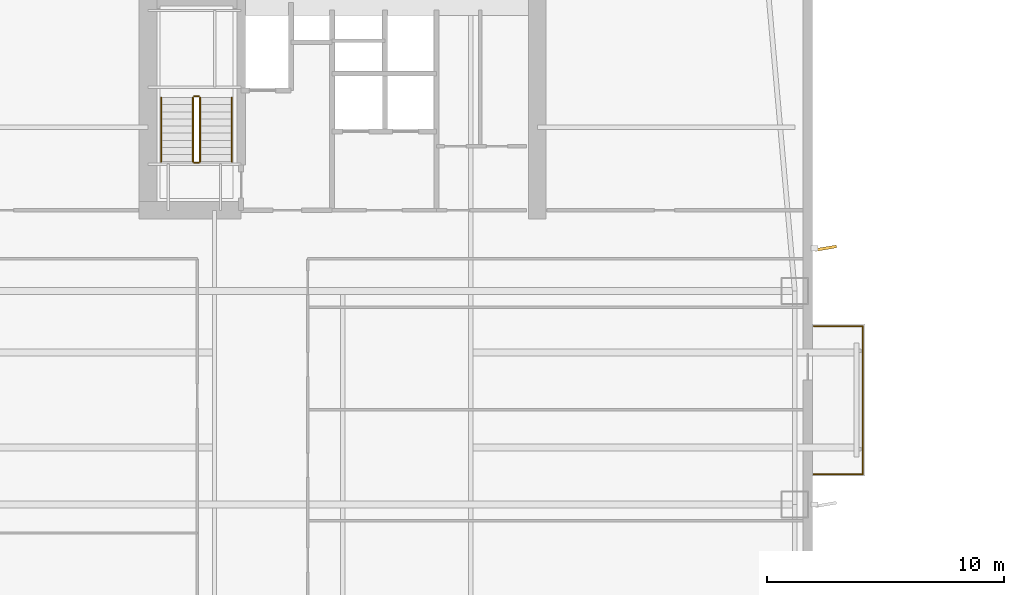
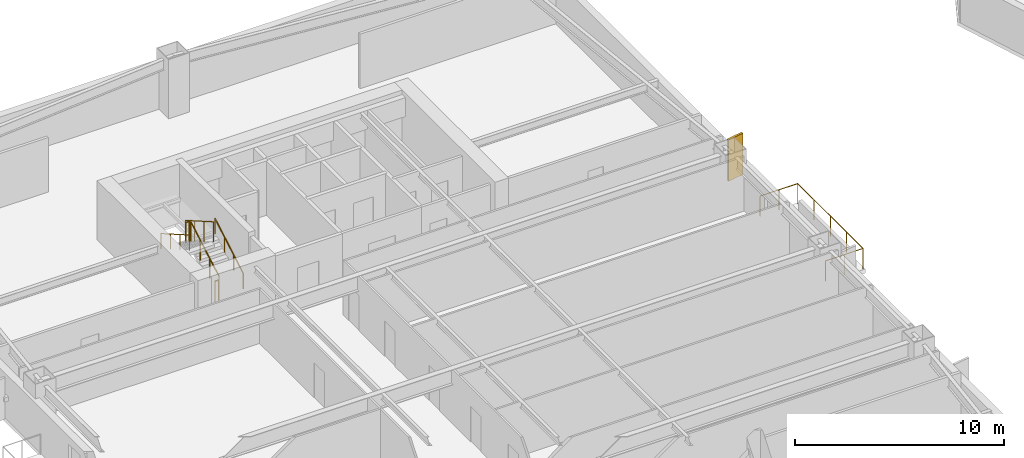
# One storey, part 17 of 19: 7 railings, 1 shading device.
"""IFC4 building model written with IfcOpenShell, lengths in metres."""

import ifcopenshell
import ifcopenshell.guid

model = None  # the IFC model being written
_history = None  # IfcOwnerHistory: only IFC2X3 demands one
_inside = {}  # id of a spatial element -> (the spatial element, [elements in it])
_under = {}  # id of a project, library or spatial element -> (it, [spatial elements below it])
_declared = {}  # id of a project -> (the project, [libraries it declares])
_typed = {}  # id of a type object -> (the type object, [elements of that type])
_made_of = {}  # id of a material, layer set ... -> (it, [elements and type objects made of it])


def new_model(schema):
    """Start an empty IFC model of exactly this schema.

    Asked for "IFC4X3", IfcOpenShell would pick the latest addendum, in which some entities
    have other attributes; the version numbers below select the first issue.
    IFC2X3 requires an IfcOwnerHistory on every rooted entity: one is made here for all.
    """
    global model, _history
    if schema == "IFC4X3":
        model = ifcopenshell.file(schema_version=(4, 3, 0, 0))
    else:
        model = ifcopenshell.file(schema=schema)
    _inside.clear()
    _under.clear()
    _declared.clear()
    _typed.clear()
    _made_of.clear()
    _history = None
    if model.schema == "IFC2X3":
        org = make("IfcOrganization", Name="unknown")
        user = make(
            "IfcPersonAndOrganization",
            ThePerson=make("IfcPerson", FamilyName="unknown"),
            TheOrganization=org,
        )
        app = make(
            "IfcApplication",
            ApplicationDeveloper=org,
            Version="unknown",
            ApplicationFullName="unknown",
            ApplicationIdentifier="unknown",
        )
        _history = make(
            "IfcOwnerHistory",
            OwningUser=user,
            OwningApplication=app,
            ChangeAction="ADDED",
            CreationDate=0,
        )
    return model


def make(cls, **values):
    """One entity of the class cls with the attributes given. An attribute that is None is left unset."""
    return model.create_entity(
        cls, **{name: value for name, value in values.items() if value is not None}
    )


def rooted(cls, **values):
    """An entity with a GlobalId (a new one), such as an element, a storey or a relation."""
    return make(cls, GlobalId=ifcopenshell.guid.new(), OwnerHistory=_history, **values)


def si_unit(unit_type, name, prefix=None):
    """IfcSIUnit, for example si_unit("LENGTHUNIT", "METRE", prefix="MILLI")."""
    return make("IfcSIUnit", UnitType=unit_type, Prefix=prefix, Name=name)


def assignment(units):
    """IfcUnitAssignment: the units of a project."""
    return None if units is None else make("IfcUnitAssignment", Units=units)


def point(xyz):
    """IfcCartesianPoint."""
    return None if xyz is None else make("IfcCartesianPoint", Coordinates=xyz)


def direction(xyz):
    """IfcDirection."""
    return None if xyz is None else make("IfcDirection", DirectionRatios=xyz)


def frame(location, z_axis=None, x_axis=None):
    """IfcAxis2Placement3D, a coordinate frame: its origin and axes. An axis left out is left unset."""
    return make(
        "IfcAxis2Placement3D",
        Location=point(location),
        Axis=direction(z_axis),
        RefDirection=direction(x_axis),
    )


def frame_2d(location, x_axis=None):
    """IfcAxis2Placement2D, a coordinate frame in the plane: its origin and x axis."""
    return make(
        "IfcAxis2Placement2D", Location=point(location), RefDirection=direction(x_axis)
    )


def origin():
    """The frame at (0, 0, 0) with its axes left unset."""
    return frame((0.0, 0.0, 0.0))


def origin_2d():
    """The frame at (0, 0) in the plane with its x axis left unset."""
    return frame_2d((0.0, 0.0))


def place(relative_to, where):
    """IfcLocalPlacement: puts the frame where relative to a parent placement (None: the world)."""
    return make(
        "IfcLocalPlacement", PlacementRelTo=relative_to, RelativePlacement=where
    )


def context(
    kind, dimensions, precision=None, world=None, true_north=None, identifier=None
):
    """IfcGeometricRepresentationContext, for example the 3D "Model" context."""
    return make(
        "IfcGeometricRepresentationContext",
        ContextIdentifier=identifier,
        ContextType=kind,
        CoordinateSpaceDimension=dimensions,
        Precision=precision,
        WorldCoordinateSystem=world,
        TrueNorth=true_north,
    )


def subcontext(parent, identifier, kind, view, scale=None):
    """IfcGeometricRepresentationSubContext, for example "Body" below "Model"."""
    return make(
        "IfcGeometricRepresentationSubContext",
        ContextIdentifier=identifier,
        ContextType=kind,
        ParentContext=parent,
        TargetScale=scale,
        TargetView=view,
    )


def project(units=None, contexts=None):
    """IfcProject with its units and contexts."""
    return rooted(
        "IfcProject",
        Name="project",
        RepresentationContexts=contexts,
        UnitsInContext=assignment(units),
    )


def spatial(cls, under=None, at=None, **own):
    """A site, building, storey or space (cls), placed at a placement, below another one or the project."""
    s = rooted(cls, ObjectPlacement=at, **own)
    if under is not None:
        _under.setdefault(under.id(), (under, []))[1].append(s)
    return s


def profile(cls, at=None, kind="AREA", **sizes):
    """A parametric profile (cls). Its sizes go by their IFC names, for example OverallWidth=200.0."""
    return make(cls, ProfileType=kind, Position=at, **sizes)


def rectangle(**sizes):
    """IfcRectangleProfileDef."""
    return profile("IfcRectangleProfileDef", **sizes)


def circle(**sizes):
    """IfcCircleProfileDef."""
    return profile("IfcCircleProfileDef", **sizes)


def extrude(swept, where, along, depth):
    """IfcExtrudedAreaSolid: the profile swept, set in the frame where, extruded along a direction by depth."""
    return make(
        "IfcExtrudedAreaSolid",
        SweptArea=swept,
        Position=where,
        ExtrudedDirection=direction(along),
        Depth=depth,
    )


def shape(context_of_items, identifier, shape_type, items):
    """IfcShapeRepresentation: the items that make up one representation, for example the "Body"."""
    return make(
        "IfcShapeRepresentation",
        ContextOfItems=context_of_items,
        RepresentationIdentifier=identifier,
        RepresentationType=shape_type,
        Items=items,
    )


def material(Name=None, Category=None):
    """IfcMaterial."""
    return make("IfcMaterial", Name=Name, Category=Category)


def layer(
    of_material, thickness, ventilated=None, Name=None, Category=None, Priority=None
):
    """IfcMaterialLayer: one layer of a wall or slab, of a material (None: an air gap)."""
    return make(
        "IfcMaterialLayer",
        Material=of_material,
        LayerThickness=thickness,
        IsVentilated=ventilated,
        Name=Name,
        Category=Category,
        Priority=Priority,
    )


def layer_set(layers, Name=None):
    """IfcMaterialLayerSet."""
    return make("IfcMaterialLayerSet", MaterialLayers=layers, LayerSetName=Name)


def made_of(thing, what):
    """Note that an element or type object is made of a material, layer set ...; save() writes the relation."""
    if what is not None:
        _made_of.setdefault(what.id(), (what, []))[1].append(thing)
    return thing


def type_object(cls, material=None, **own):
    """A type object (cls), such as IfcWallType, which elements share."""
    return made_of(rooted(cls, **own), material)


def element(
    cls,
    number,
    at=None,
    inside=None,
    cuts=None,
    type_object=None,
    material=None,
    context=None,
    identifier="Body",
    shape_type=None,
    held_by="IfcProductDefinitionShape",
    body=None,
    shapes=None,
    **own,
):
    """One element of the class cls, such as IfcWall. Its Tag is "e" and its number.

    at: its placement. inside: the storey or other place that contains it. cuts: it is an
    opening in that element (IfcRelVoidsElement). A single representation is given by context,
    identifier, shape_type and body (its items); several are given by shapes. held_by: the class
    of the entity that holds the representations. save() writes the other relations.
    """
    e = rooted(cls, Tag="e%d" % number, ObjectPlacement=at, **own)
    if body is not None:
        shapes = [shape(context, identifier, shape_type, body)]
    if shapes is not None:
        e.Representation = make(held_by, Representations=shapes)
    if inside is not None:
        _inside.setdefault(inside.id(), (inside, []))[1].append(e)
    if cuts is not None:
        rooted(
            "IfcRelVoidsElement", RelatingBuildingElement=cuts, RelatedOpeningElement=e
        )
    if type_object is not None:
        _typed.setdefault(type_object.id(), (type_object, []))[1].append(e)
    return made_of(e, material)


def aggregate(whole, parts):
    """IfcRelAggregates: a whole, such as a stair, and the parts it consists of."""
    return rooted("IfcRelAggregates", RelatingObject=whole, RelatedObjects=parts)


def save(model, path):
    """Write the relations noted so far, then the file.

    IfcRelAggregates (storeys below a building ...), IfcRelContainedInSpatialStructure (elements
    in a storey), IfcRelDefinesByType, IfcRelAssociatesMaterial and IfcRelDeclares: one each for
    every whole, place, type object, material and project.
    """
    for whole, parts in _under.values():
        aggregate(whole, parts)
    for where, things in _inside.values():
        rooted(
            "IfcRelContainedInSpatialStructure",
            RelatedElements=things,
            RelatingStructure=where,
        )
    for kind, things in _typed.values():
        rooted("IfcRelDefinesByType", RelatedObjects=things, RelatingType=kind)
    for what, things in _made_of.values():
        rooted("IfcRelAssociatesMaterial", RelatedObjects=things, RelatingMaterial=what)
    for by, libraries in _declared.values():
        rooted("IfcRelDeclares", RelatingContext=by, RelatedDefinitions=libraries)
    model.write(path)


model = new_model("IFC4")

# Units and contexts
model_context = context("Model", 3, precision=1e-05, world=origin(), true_north=direction((0.0, 1.0)))
body_context = subcontext(model_context, "Body", "Model", "MODEL_VIEW")
ifc_project = project(units=[si_unit("LENGTHUNIT", "METRE"), si_unit("AREAUNIT", "SQUARE_METRE"), si_unit("VOLUMEUNIT", "CUBIC_METRE"), si_unit("PLANEANGLEUNIT", "RADIAN"), si_unit("MASSUNIT", "GRAM", prefix="KILO")], contexts=[model_context])

# Site, building, storey
site_placement = place(None, origin())
site = spatial("IfcSite", under=ifc_project, at=site_placement, CompositionType="ELEMENT")
building_placement = place(site_placement, origin())
building = spatial("IfcBuilding", under=site, at=building_placement, Name="Qiaolan Cultural Towers", CompositionType="ELEMENT")
storey_placement = place(building_placement, frame((0.0, 0.0, 78.199951171875)))
storey = spatial("IfcBuildingStorey", under=building, at=storey_placement, Name="L19", CompositionType="ELEMENT", Elevation=78.199951171875)

# Railings
ifc_material_1 = material(Name="Laminated SentryGlas & Stainless Steel S31608 Balustrade", Category="steel")
railing_type_1 = type_object("IfcRailingType", Name="GRD-TERR-1200", PredefinedType="BALUSTRADE", material=ifc_material_1)
railing_1_placement = place(storey_placement, frame((49.85009765625, 35.280029296875, 0.0)))
element("IfcRailing", 1, at=railing_1_placement, inside=storey, type_object=railing_type_1, Name="L19 T1 Tree Balcony Guardrail E", PredefinedType="BALUSTRADE", context=body_context, shape_type="SweptSolid", body=[
    extrude(circle(Radius=0.02392578125, at=origin_2d()), frame((0.0, 0.0, 1.17578125), z_axis=(1.0, 0.0, 0.0), x_axis=(0.0, 1.0, 0.0)), (0.0, 0.0, 1.0), 2.06982421875),
    extrude(circle(Radius=0.02392578125, at=origin_2d()), frame((2.06982421875, 0.0, 1.17578125), z_axis=(0.0, 1.0, 0.0), x_axis=(-1.0, 0.0, 0.0)), (0.0, 0.0, 1.0), 6.239990234375),
    extrude(circle(Radius=0.02392578125, at=origin_2d()), frame((2.06982421875, 6.239990234375, 1.17578125), z_axis=(-1.0, 0.0, 0.0), x_axis=(0.0, -1.0, 0.0)), (0.0, 0.0, 1.0), 2.06982421875),
    extrude(circle(Radius=0.02099609375, at=origin_2d()), origin(), (0.0, 0.0, 1.0), 1.15185546875),
    extrude(circle(Radius=0.02099609375, at=origin_2d()), frame((1.034912109375, 0.0, 0.0)), (0.0, 0.0, 1.0), 1.15185546875),
    extrude(circle(Radius=0.02099609375, at=origin_2d()), frame((2.06982421875, 0.0, 0.0)), (0.0, 0.0, 1.0), 1.15185546875),
    extrude(circle(Radius=0.02099609375, at=origin_2d()), frame((2.06982421875, 1.56005859375, 0.0)), (0.0, 0.0, 1.0), 1.15185546875),
    extrude(circle(Radius=0.02099609375, at=origin_2d()), frame((2.06982421875, 3.1201171875, 0.0)), (0.0, 0.0, 1.0), 1.15185546875),
    extrude(circle(Radius=0.02099609375, at=origin_2d()), frame((2.06982421875, 4.679931640625, 0.0)), (0.0, 0.0, 1.0), 1.15185546875),
    extrude(circle(Radius=0.02099609375, at=origin_2d()), frame((2.06982421875, 6.239990234375, 0.0)), (0.0, 0.0, 1.0), 1.15185546875),
    extrude(circle(Radius=0.02099609375, at=origin_2d()), frame((1.034912109375, 6.239990234375, 0.0)), (0.0, 0.0, 1.0), 1.15185546875),
    extrude(circle(Radius=0.02099609375, at=origin_2d()), frame((0.0, 6.239990234375, 0.0)), (0.0, 0.0, 1.0), 1.15185546875),
])
ifc_material_2 = material(Name="Galvanized Painted Steel Stair Guardrail", Category="steel")
railing_type_2 = type_object("IfcRailingType", Name="RL-STAIR-GRD", PredefinedType="GUARDRAIL", material=ifc_material_2)
railing_2_placement = place(storey_placement, frame((23.989990234375, 48.449951171875, 0.172607421875)))
element("IfcRailing", 2, at=railing_2_placement, inside=storey, type_object=railing_type_2, Name="L19 ST-W2 stair guard 1", PredefinedType="GUARDRAIL", context=body_context, shape_type="SweptSolid", body=[
    extrude(circle(Radius=0.02392578125, at=origin_2d()), frame((0.0, 0.0, 1.17578125), z_axis=(0.0, 0.866903762492, 0.498475542607), x_axis=(-1.0, 0.0, 0.0)), (0.0, 0.0, 1.0), 3.114501953125),
    extrude(circle(Radius=0.02099609375, at=origin_2d()), origin(), (0.0, 0.0, 1.0), 1.15185546875),
    extrude(circle(Radius=0.02099609375, at=origin_2d()), frame((0.0, 0.89990234375, 0.517578125)), (0.0, 0.0, 1.0), 1.15185546875),
    extrude(circle(Radius=0.02099609375, at=origin_2d()), frame((0.0, 1.800048828125, 1.034912109375)), (0.0, 0.0, 1.0), 1.15185546875),
    extrude(circle(Radius=0.02099609375, at=origin_2d()), frame((0.0, 2.699951171875, 1.552490234375)), (0.0, 0.0, 1.0), 1.15185546875),
])
railing_3_placement = place(storey_placement, frame((23.93994140625, 51.199951171875, 1.72509765625)))
element("IfcRailing", 3, at=railing_3_placement, inside=storey, type_object=railing_type_2, Name="L19 ST-W2 stair guard 2", PredefinedType="GUARDRAIL", context=body_context, shape_type="SweptSolid", body=[
    extrude(circle(Radius=0.02392578125, at=origin_2d()), frame((0.0, 0.0, 1.17578125), z_axis=(-1.0, 0.0, 0.0), x_axis=(0.0, -1.0, 0.0)), (0.0, 0.0, 1.0), 0.199951171875),
    extrude(circle(Radius=0.02099609375, at=origin_2d()), origin(), (0.0, 0.0, 1.0), 1.15185546875),
    extrude(circle(Radius=0.02099609375, at=origin_2d()), frame((-0.199951171875, 0.0, 0.0)), (0.0, 0.0, 1.0), 1.15185546875),
])
railing_4_placement = place(storey_placement, frame((23.68994140625, 51.14990234375, 1.8974609375)))
element("IfcRailing", 4, at=railing_4_placement, inside=storey, type_object=railing_type_2, Name="L19 ST-W2 stair guard 3", PredefinedType="GUARDRAIL", context=body_context, shape_type="SweptSolid", body=[
    extrude(circle(Radius=0.02392578125, at=origin_2d()), frame((0.0, 0.0, 1.17578125), z_axis=(0.0, -0.866903762492, 0.498475542607), x_axis=(1.0, 0.0, 0.0)), (0.0, 0.0, 1.0), 3.114501953125),
    extrude(circle(Radius=0.02099609375, at=origin_2d()), origin(), (0.0, 0.0, 1.0), 1.15185546875),
    extrude(circle(Radius=0.02099609375, at=origin_2d()), frame((0.0, -0.89990234375, 0.517578125)), (0.0, 0.0, 1.0), 1.15185546875),
    extrude(circle(Radius=0.02099609375, at=origin_2d()), frame((0.0, -1.800048828125, 1.034912109375)), (0.0, 0.0, 1.0), 1.15185546875),
    extrude(circle(Radius=0.02099609375, at=origin_2d()), frame((0.0, -2.699951171875, 1.552490234375)), (0.0, 0.0, 1.0), 1.15185546875),
])
railing_5_placement = place(storey_placement, frame((23.93994140625, 48.39990234375, 0.0)))
element("IfcRailing", 5, at=railing_5_placement, inside=storey, type_object=railing_type_2, Name="L19 ST-W2 stair guard 4", PredefinedType="GUARDRAIL", context=body_context, shape_type="SweptSolid", body=[
    extrude(circle(Radius=0.02392578125, at=origin_2d()), frame((0.0, 0.0, 1.17578125), z_axis=(-1.0, 0.0, 0.0), x_axis=(0.0, -1.0, 0.0)), (0.0, 0.0, 1.0), 0.199951171875),
    extrude(circle(Radius=0.02099609375, at=origin_2d()), origin(), (0.0, 0.0, 1.0), 1.15185546875),
    extrude(circle(Radius=0.02099609375, at=origin_2d()), frame((-0.199951171875, 0.0, 0.0)), (0.0, 0.0, 1.0), 1.15185546875),
])
ifc_material_3 = material(Name="Stainless Steel S30408 Tubular Handrail", Category="steel")
railing_type_3 = type_object("IfcRailingType", Name="RL-STAIR-HR", PredefinedType="HANDRAIL", material=ifc_material_3)
railing_6_placement = place(storey_placement, frame((25.330078125, 48.449951171875, 0.172607421875)))
element("IfcRailing", 6, at=railing_6_placement, inside=storey, type_object=railing_type_3, Name="L19 ST-W2 stair handrail 1", PredefinedType="HANDRAIL", context=body_context, shape_type="SweptSolid", body=[
    extrude(circle(Radius=0.02392578125, at=origin_2d()), frame((0.0, 0.0, 0.8759765625), z_axis=(0.0, 0.866903762492, 0.498475542607), x_axis=(-1.0, 0.0, 0.0)), (0.0, 0.0, 1.0), 3.114501953125),
    extrude(circle(Radius=0.02099609375, at=origin_2d()), origin(), (0.0, 0.0, 1.0), 0.851806640625),
    extrude(circle(Radius=0.02099609375, at=origin_2d()), frame((0.0, 0.89990234375, 0.517578125)), (0.0, 0.0, 1.0), 0.851806640625),
    extrude(circle(Radius=0.02099609375, at=origin_2d()), frame((0.0, 1.800048828125, 1.034912109375)), (0.0, 0.0, 1.0), 0.851806640625),
    extrude(circle(Radius=0.02099609375, at=origin_2d()), frame((0.0, 2.699951171875, 1.552490234375)), (0.0, 0.0, 1.0), 0.851806640625),
])
railing_7_placement = place(storey_placement, frame((22.35009765625, 51.14990234375, 1.8974609375)))
element("IfcRailing", 7, at=railing_7_placement, inside=storey, type_object=railing_type_3, Name="L19 ST-W2 stair handrail 2", PredefinedType="HANDRAIL", context=body_context, shape_type="SweptSolid", body=[
    extrude(circle(Radius=0.02392578125, at=origin_2d()), frame((0.0, 0.0, 0.8759765625), z_axis=(0.0, -0.866903762492, 0.498475542607), x_axis=(1.0, 0.0, 0.0)), (0.0, 0.0, 1.0), 3.114501953125),
    extrude(circle(Radius=0.02099609375, at=origin_2d()), origin(), (0.0, 0.0, 1.0), 0.851806640625),
    extrude(circle(Radius=0.02099609375, at=origin_2d()), frame((0.0, -0.89990234375, 0.517578125)), (0.0, 0.0, 1.0), 0.851806640625),
    extrude(circle(Radius=0.02099609375, at=origin_2d()), frame((0.0, -1.800048828125, 1.034912109375)), (0.0, 0.0, 1.0), 0.851806640625),
    extrude(circle(Radius=0.02099609375, at=origin_2d()), frame((0.0, -2.699951171875, 1.552490234375)), (0.0, 0.0, 1.0), 0.851806640625),
])

# Shading device
ifc_material_4 = material(Name="Dark Basalt Honed Precast Terracotta Fin", Category="masonry")
ifc_layer = layer(ifc_material_4, 0.1201171875)
ifc_layer_set = layer_set([ifc_layer], Name="Dark Basalt Honed Precast Terracotta Fin")
shading_device_type = type_object("IfcShadingDeviceType", Name="SHD-FIN-DARK", PredefinedType="USERDEFINED", material=ifc_layer_set)
shading_device_placement = place(storey_placement, frame((50.360107421875, 44.800048828125, 0.10009765625), z_axis=(0.0, 0.0, 1.0), x_axis=(0.98587406802, 0.167488274236, 0.0)))
element("IfcShadingDevice", 8, at=shading_device_placement, inside=storey, type_object=shading_device_type, Name="L19 T1 Expressive Precast Vertical Fin E3", ObjectType="FIN", PredefinedType="USERDEFINED", context=body_context, shape_type="SweptSolid", body=[
    extrude(rectangle(XDim=0.89990234375, YDim=0.1201171875, at=origin_2d()), origin(), (0.0, 0.0, 1.0), 2.409912109375),
])

save(model, "model.ifc")
